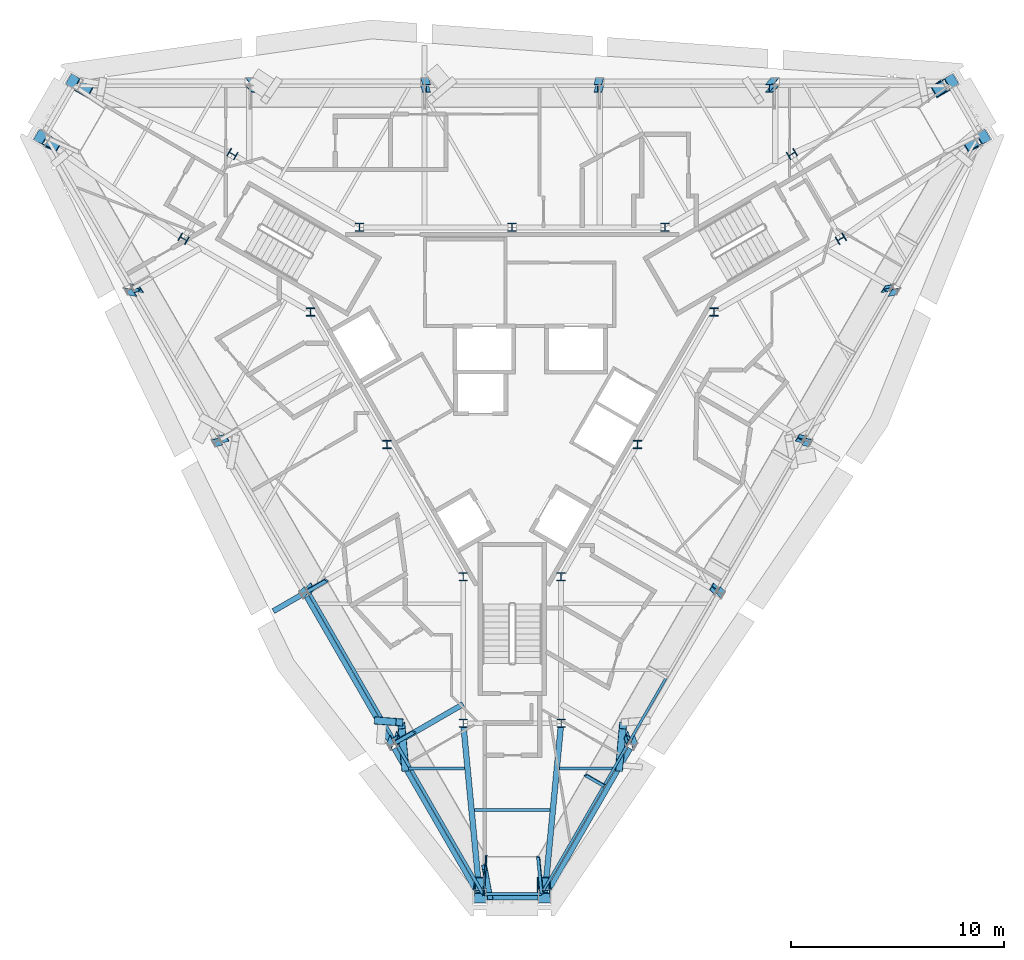
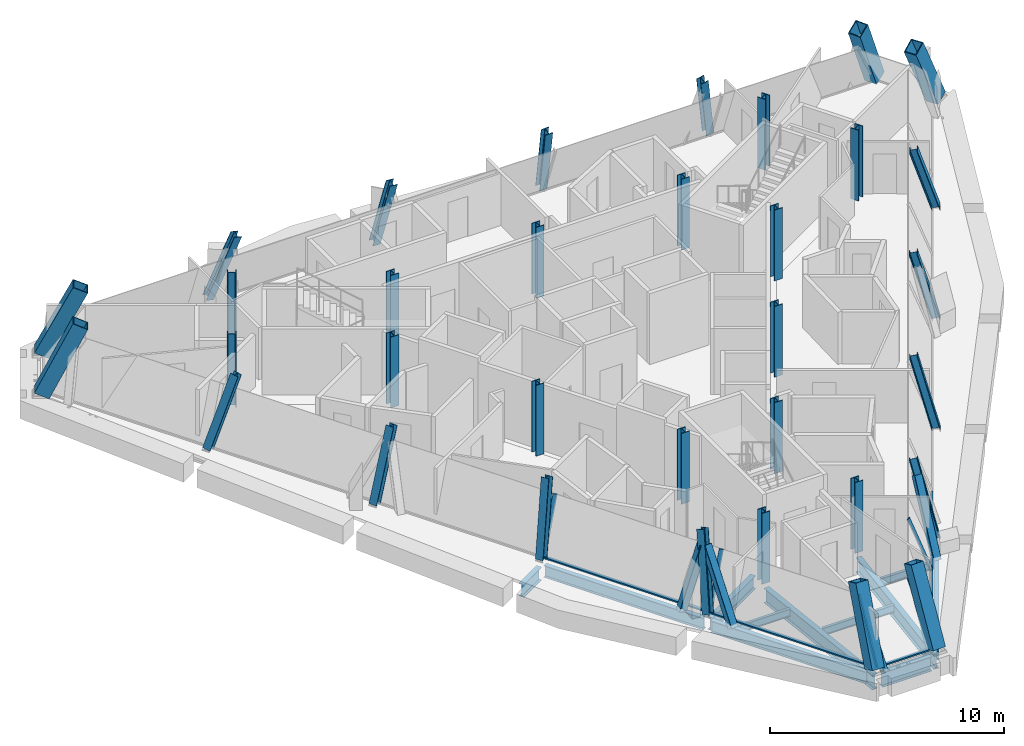
# One storey, part 1 of 13: 33 columns, 14 members, 11 beams, 3 elements without a shape of their own.
"""IFC4 building model written with IfcOpenShell, lengths in metres."""

from ifc_helpers import new_model, si_unit, direction, frame, origin, origin_2d, place, context, subcontext, project, spatial, rectangle, hollow_rectangle, i_section, extrude, material, material_profile, profile_set, type_object, element, aggregate, save


model = new_model("IFC4")

# Units and contexts
model_context = context("Model", 3, precision=1e-05, world=origin(), true_north=direction((0.0, 1.0)))
body_context = subcontext(model_context, "Body", "Model", "MODEL_VIEW")
ifc_project = project(units=[si_unit("LENGTHUNIT", "METRE"), si_unit("AREAUNIT", "SQUARE_METRE"), si_unit("VOLUMEUNIT", "CUBIC_METRE"), si_unit("PLANEANGLEUNIT", "RADIAN"), si_unit("MASSUNIT", "GRAM", prefix="KILO")], contexts=[model_context])

# Site, building, storey
site_placement = place(None, origin())
site = spatial("IfcSite", under=ifc_project, at=site_placement, CompositionType="ELEMENT")
building_placement = place(site_placement, origin())
building = spatial("IfcBuilding", under=site, at=building_placement, Name="Verrane Prism Tower", CompositionType="ELEMENT")
storey_placement = place(building_placement, frame((0.0, 0.0, 304.699951171875)))
storey = spatial("IfcBuildingStorey", under=building, at=storey_placement, Name="L77", CompositionType="ELEMENT", Elevation=304.699951171875)

# Columns
ifc_material_1 = material(Name="Steel A992", Category="steel")
ifc_material_profile_1 = material_profile(ifc_material_1, i_section(OverallWidth=0.4013671875, OverallDepth=0.398681640625, WebThickness=0.02490234375, FlangeThickness=0.03955078125, FilletRadius=0.01513671875, at=origin_2d()), Name="W14x211")
ifc_profile_set_1 = profile_set([ifc_material_profile_1], Name="Steel A992")
column_type_1 = type_object("IfcColumnType", Name="Core corner column W14x211", PredefinedType="COLUMN", material=ifc_profile_set_1)
for number, where, z_axis, x_axis, name in (
    (1, (15.43994140625, 6.260009765625, 0.0), (0.0, 0.0, 1.0), (0.5, -0.866025403784, 0.0), "Core corner column CK-NEm L77"),
    (2, (13.139892578125, 10.239990234375, 0.0), (0.0, 0.0, 1.0), (0.5, -0.866025403784, 0.0), "Core corner column CK-NEp L77"),
    (3, (-13.139892578125, 10.239990234375, 0.0), (0.0, 0.0, 1.0), (0.5, 0.866025403784, 0.0), "Core corner column CK-NWm L77"),
    (4, (-15.43994140625, 6.260009765625, 0.0), (0.0, 0.0, 1.0), (0.5, 0.866025403784, 0.0), "Core corner column CK-NWp L77"),
    (5, (-2.300048828125, -16.5, 0.0), (0.0, 0.0, 1.0), (-1.0, 0.0, 0.0), "Core corner column CK-Sm L77"),
    (6, (2.300048828125, -16.5, 0.0), (0.0, 0.0, 1.0), (-1.0, 0.0, 0.0), "Core corner column CK-Sp L77"),
):
    element("IfcColumn", number, at=place(storey_placement, frame(where, z_axis=z_axis, x_axis=x_axis)), inside=storey, type_object=column_type_1, Name=name, PredefinedType="COLUMN", context=body_context, shape_type="SweptSolid", body=[
        extrude(i_section(OverallWidth=0.4013671875, OverallDepth=0.398681640625, WebThickness=0.02490234375, FlangeThickness=0.03955078125, FilletRadius=0.01513671875, at=origin_2d()), origin(), (0.0, 0.0, 1.0), 3.699951171875),
    ])
ifc_material_2 = material(Name="Steel A992", Category="steel")
ifc_material_profile_2 = material_profile(ifc_material_2, i_section(OverallWidth=0.398681640625, OverallDepth=0.385986328125, WebThickness=0.02099609375, FlangeThickness=0.033203125, FilletRadius=0.01513671875, at=origin_2d()), Name="W14x176")
ifc_profile_set_2 = profile_set([ifc_material_profile_2], Name="Steel A992")
column_type_2 = type_object("IfcColumnType", Name="Core side column W14x176", PredefinedType="COLUMN", material=ifc_profile_set_2)
for number, where, z_axis, x_axis, name in (
    (7, (9.47998046875, 2.820068359375, 0.0), (0.0, 0.0, 1.0), (1.0, 0.0, 0.0), "Core side column CC-NEm L77"),
    (8, (7.179931640625, 6.800048828125, 0.0), (0.0, 0.0, 1.0), (1.0, 0.0, 0.0), "Core side column CC-NEp L77"),
    (9, (0.0, 6.800048828125, 0.0), (0.0, 0.0, 1.0), (1.0, 0.0, 0.0), "Core side column CC-N0 L77"),
    (10, (-7.179931640625, 6.800048828125, 0.0), (0.0, 0.0, 1.0), (1.0, 0.0, 0.0), "Core side column CC-NWm L77"),
    (11, (-9.47998046875, 2.820068359375, 0.0), (0.0, 0.0, 1.0), (1.0, 0.0, 0.0), "Core side column CC-NWp L77"),
    (12, (-5.889892578125, -3.39990234375, 0.0), (0.0, 0.0, 1.0), (1.0, 0.0, 0.0), "Core side column CC-SW0 L77"),
    (13, (-2.300048828125, -9.6201171875, 0.0), (0.0, 0.0, 1.0), (1.0, 0.0, 0.0), "Core side column CC-Sm L77"),
    (14, (2.300048828125, -9.6201171875, 0.0), (0.0, 0.0, 1.0), (1.0, 0.0, 0.0), "Core side column CC-Sp L77"),
    (15, (5.889892578125, -3.39990234375, 0.0), (0.0, 0.0, 1.0), (1.0, 0.0, 0.0), "Core side column CC-SE0 L77"),
):
    element("IfcColumn", number, at=place(storey_placement, frame(where, z_axis=z_axis, x_axis=x_axis)), inside=storey, type_object=column_type_2, Name=name, PredefinedType="COLUMN", context=body_context, shape_type="SweptSolid", body=[
        extrude(i_section(OverallWidth=0.398681640625, OverallDepth=0.385986328125, WebThickness=0.02099609375, FlangeThickness=0.033203125, FilletRadius=0.01513671875, at=origin_2d()), origin(), (0.0, 0.0, 1.0), 3.699951171875),
    ])
ifc_material_3 = material(Name="Steel A572 Grade 50", Category="steel")
ifc_material_profile_3 = material_profile(ifc_material_3, hollow_rectangle(XDim=0.60009765625, YDim=0.699951171875, WallThickness=0.0400390625, at=origin_2d()), Name="BOX 700x600x40")
ifc_profile_set_3 = profile_set([ifc_material_profile_3], Name="Steel A572 Grade 50")
column_type_3 = type_object("IfcColumnType", Name="Megacolumn BOX 700x600x40", PredefinedType="COLUMN", material=ifc_profile_set_3)
for number, where, z_axis, x_axis, name in (
    (16, (20.565185546875, 13.625732421875, 0.090087890625), (-0.349540963312, -0.244465386581, 0.904465471829), (0.499636006059, -0.86527489038, -0.040782662093), "Megacolumn MC-NE.b L77"),
    (17, (-20.565185546875, 13.625732421875, 0.090087890625), (0.349540963312, -0.244465386581, 0.904465471829), (0.499636006059, 0.86527489038, 0.040782662093), "Megacolumn MC-NW.a L77"),
):
    element("IfcColumn", number, at=place(storey_placement, frame(where, z_axis=z_axis, x_axis=x_axis)), inside=storey, type_object=column_type_3, Name=name, PredefinedType="COLUMN", context=body_context, shape_type="SweptSolid", body=[
        extrude(hollow_rectangle(XDim=0.60009765625, YDim=0.699951171875, WallThickness=0.0400390625, at=origin_2d()), origin(), (0.0, 0.0, 1.0), 3.891845703125),
    ])
column_1_placement = place(storey_placement, frame((-22.08154296875, 11.001953125, 0.090087890625), z_axis=(0.386249226446, -0.1808602436, 0.904489418045), x_axis=(0.499519388937, 0.865365975723, -0.040275403639)))
element("IfcColumn", 18, at=column_1_placement, inside=storey, type_object=column_type_3, Name="Megacolumn MC-NW.b L77", PredefinedType="COLUMN", context=body_context, shape_type="SweptSolid", body=[
    extrude(hollow_rectangle(XDim=0.60009765625, YDim=0.699951171875, WallThickness=0.0400390625, at=origin_2d()), origin(), (0.0, 0.0, 1.0), 3.8916015625),
])
for number, where, z_axis, x_axis, name in (
    (19, (-1.516357421875, -24.627685546875, 0.090087890625), (0.0366924906, 0.425256557728, 0.904328768337), (-0.9991793096, 7.5297509e-05, 0.040505574907), "Megacolumn MC-S.a L77"),
    (20, (1.516357421875, -24.627685546875, 0.090087890625), (-0.0366924906, 0.425256557728, 0.904328768337), (-0.9991793096, -7.5297509e-05, -0.040505574907), "Megacolumn MC-S.b L77"),
):
    element("IfcColumn", number, at=place(storey_placement, frame(where, z_axis=z_axis, x_axis=x_axis)), inside=storey, type_object=column_type_3, Name=name, PredefinedType="COLUMN", context=body_context, shape_type="SweptSolid", body=[
        extrude(hollow_rectangle(XDim=0.60009765625, YDim=0.699951171875, WallThickness=0.0400390625, at=origin_2d()), origin(), (0.0, 0.0, 1.0), 3.892333984375),
    ])
column_2_placement = place(storey_placement, frame((22.08154296875, 11.001953125, 0.090087890625), z_axis=(-0.386249226446, -0.1808602436, 0.904489418045), x_axis=(0.499519388937, -0.865365975723, 0.040275403639)))
element("IfcColumn", 21, at=column_2_placement, inside=storey, type_object=column_type_3, Name="Megacolumn MC-NE.a L77", PredefinedType="COLUMN", context=body_context, shape_type="SweptSolid", body=[
    extrude(hollow_rectangle(XDim=0.60009765625, YDim=0.699951171875, WallThickness=0.0400390625, at=origin_2d()), origin(), (0.0, 0.0, 1.0), 3.8916015625),
])
ifc_material_4 = material(Name="Steel A992", Category="steel")
ifc_material_profile_4 = material_profile(ifc_material_4, i_section(OverallWidth=0.373291015625, OverallDepth=0.368408203125, WebThickness=0.014892578125, FlangeThickness=0.02392578125, FilletRadius=0.01513671875, at=origin_2d()), Name="W14x120")
ifc_profile_set_4 = profile_set([ifc_material_profile_4], Name="Steel A992")
column_type_4 = type_object("IfcColumnType", Name="Perimeter column W14x120", PredefinedType="COLUMN", material=ifc_profile_set_4)
column_3_placement = place(storey_placement, frame((12.34716796875, 13.635009765625, 0.054931640625), z_axis=(-0.218944088069, -0.254559334695, 0.94194640581), x_axis=(0.974036747124, -4.8635043e-05, 0.226389957566)))
element("IfcColumn", 22, at=column_3_placement, inside=storey, type_object=column_type_4, Name="Perimeter column PC-N1 L77", PredefinedType="COLUMN", context=body_context, shape_type="SweptSolid", body=[
    extrude(i_section(OverallWidth=0.373291015625, OverallDepth=0.368408203125, WebThickness=0.014892578125, FlangeThickness=0.02392578125, FilletRadius=0.01513671875, at=origin_2d()), origin(), (0.0, 0.0, 1.0), 3.811279296875),
])
for number, where, z_axis, x_axis, name in (
    (23, (4.116455078125, 13.6376953125, 0.045166015625), (-0.075454530978, -0.260152118886, 0.962614922383), (0.996942757007, -3.6761517e-05, 0.078135381871), "Perimeter column PC-N2 L77"),
    (24, (-4.116455078125, 13.6376953125, 0.045166015625), (0.075454530978, -0.260152118886, 0.962614922383), (0.996942757007, 3.6761517e-05, -0.078135381871), "Perimeter column PC-N3 L77"),
):
    element("IfcColumn", number, at=place(storey_placement, frame(where, z_axis=z_axis, x_axis=x_axis)), inside=storey, type_object=column_type_4, Name=name, PredefinedType="COLUMN", context=body_context, shape_type="SweptSolid", body=[
        extrude(i_section(OverallWidth=0.373291015625, OverallDepth=0.368408203125, WebThickness=0.014892578125, FlangeThickness=0.02392578125, FilletRadius=0.01513671875, at=origin_2d()), origin(), (0.0, 0.0, 1.0), 3.75),
    ])
column_4_placement = place(storey_placement, frame((-12.34716796875, 13.635009765625, 0.054931640625), z_axis=(0.218944088069, -0.254559334695, 0.94194640581), x_axis=(0.974036747124, 4.8635043e-05, -0.226389957566)))
element("IfcColumn", 25, at=column_4_placement, inside=storey, type_object=column_type_4, Name="Perimeter column PC-N4 L77", PredefinedType="COLUMN", context=body_context, shape_type="SweptSolid", body=[
    extrude(i_section(OverallWidth=0.373291015625, OverallDepth=0.368408203125, WebThickness=0.014892578125, FlangeThickness=0.02392578125, FilletRadius=0.01513671875, at=origin_2d()), origin(), (0.0, 0.0, 1.0), 3.811279296875),
])
column_5_placement = place(storey_placement, frame((-17.980712890625, 3.87646484375, 0.054931640625), z_axis=(0.328547208417, -0.061145929932, 0.942506184115), x_axis=(-0.48718313333, 0.843929861769, 0.224577343052)))
element("IfcColumn", 26, at=column_5_placement, inside=storey, type_object=column_type_4, Name="Perimeter column PC-SW1 L77", PredefinedType="COLUMN", context=body_context, shape_type="SweptSolid", body=[
    extrude(i_section(OverallWidth=0.373291015625, OverallDepth=0.368408203125, WebThickness=0.014892578125, FlangeThickness=0.02392578125, FilletRadius=0.01513671875, at=origin_2d()), origin(), (0.0, 0.0, 1.0), 3.80908203125),
])
column_6_placement = place(storey_placement, frame((-13.86767578125, -3.2568359375, 0.045166015625), z_axis=(0.262724220884, 0.067633911174, 0.96249760406), x_axis=(-0.498583237787, 0.86355528035, 0.075412417924)))
element("IfcColumn", 27, at=column_6_placement, inside=storey, type_object=column_type_4, Name="Perimeter column PC-SW2 L77", PredefinedType="COLUMN", context=body_context, shape_type="SweptSolid", body=[
    extrude(i_section(OverallWidth=0.373291015625, OverallDepth=0.368408203125, WebThickness=0.014892578125, FlangeThickness=0.02392578125, FilletRadius=0.01513671875, at=origin_2d()), origin(), (0.0, 0.0, 1.0), 3.75048828125),
])
column_7_placement = place(storey_placement, frame((-9.751220703125, -10.381103515625, 0.045166015625), z_axis=(0.187414704281, 0.192691239229, 0.963195626518), x_axis=(-0.498724706912, 0.863448717299, -0.075696626808)))
element("IfcColumn", 28, at=column_7_placement, inside=storey, type_object=column_type_4, Name="Perimeter column PC-SW3 L77", PredefinedType="COLUMN", context=body_context, shape_type="SweptSolid", body=[
    extrude(i_section(OverallWidth=0.373291015625, OverallDepth=0.368408203125, WebThickness=0.014892578125, FlangeThickness=0.02392578125, FilletRadius=0.01513671875, at=origin_2d()), origin(), (0.0, 0.0, 1.0), 3.747802734375),
])
for number, where, z_axis, x_axis, name in (
    (29, (-5.633544921875, -17.51171875, 0.054931640625), (0.112062196474, 0.31581164461, 0.942181017242), (-0.487199113903, 0.843834781896, -0.224899720486), "Perimeter column PC-SW4 L77"),
    (30, (5.633544921875, -17.51171875, 0.054931640625), (-0.112062196474, 0.31581164461, 0.942181017242), (-0.487199113903, -0.843834781896, 0.224899720486), "Perimeter column PC-SE1 L77"),
):
    element("IfcColumn", number, at=place(storey_placement, frame(where, z_axis=z_axis, x_axis=x_axis)), inside=storey, type_object=column_type_4, Name=name, PredefinedType="COLUMN", context=body_context, shape_type="SweptSolid", body=[
        extrude(i_section(OverallWidth=0.373291015625, OverallDepth=0.368408203125, WebThickness=0.014892578125, FlangeThickness=0.02392578125, FilletRadius=0.01513671875, at=origin_2d()), origin(), (0.0, 0.0, 1.0), 3.810302734375),
    ])
column_8_placement = place(storey_placement, frame((9.751220703125, -10.381103515625, 0.045166015625), z_axis=(-0.187414704281, 0.192691239229, 0.963195626518), x_axis=(-0.498724706912, -0.863448717299, 0.075696626808)))
element("IfcColumn", 31, at=column_8_placement, inside=storey, type_object=column_type_4, Name="Perimeter column PC-SE2 L77", PredefinedType="COLUMN", context=body_context, shape_type="SweptSolid", body=[
    extrude(i_section(OverallWidth=0.373291015625, OverallDepth=0.368408203125, WebThickness=0.014892578125, FlangeThickness=0.02392578125, FilletRadius=0.01513671875, at=origin_2d()), origin(), (0.0, 0.0, 1.0), 3.747802734375),
])
column_9_placement = place(storey_placement, frame((13.86767578125, -3.2568359375, 0.045166015625), z_axis=(-0.262724220884, 0.067633911174, 0.96249760406), x_axis=(-0.498583237787, -0.86355528035, -0.075412417924)))
element("IfcColumn", 32, at=column_9_placement, inside=storey, type_object=column_type_4, Name="Perimeter column PC-SE3 L77", PredefinedType="COLUMN", context=body_context, shape_type="SweptSolid", body=[
    extrude(i_section(OverallWidth=0.373291015625, OverallDepth=0.368408203125, WebThickness=0.014892578125, FlangeThickness=0.02392578125, FilletRadius=0.01513671875, at=origin_2d()), origin(), (0.0, 0.0, 1.0), 3.75048828125),
])
column_10_placement = place(storey_placement, frame((17.980712890625, 3.87646484375, 0.054931640625), z_axis=(-0.328547208417, -0.061145929932, 0.942506184115), x_axis=(-0.48718313333, -0.843929861769, -0.224577343052)))
element("IfcColumn", 33, at=column_10_placement, inside=storey, type_object=column_type_4, Name="Perimeter column PC-SE4 L77", PredefinedType="COLUMN", context=body_context, shape_type="SweptSolid", body=[
    extrude(i_section(OverallWidth=0.373291015625, OverallDepth=0.368408203125, WebThickness=0.014892578125, FlangeThickness=0.02392578125, FilletRadius=0.01513671875, at=origin_2d()), origin(), (0.0, 0.0, 1.0), 3.80908203125),
])

# Member
ifc_material_5 = material(Name="Steel A500 Grade C", Category="steel")
ifc_material_profile_5 = material_profile(ifc_material_5, hollow_rectangle(XDim=0.25390625, YDim=0.25390625, WallThickness=0.009521484375, InnerFilletRadius=0.0048828125, OuterFilletRadius=0.014404296875, at=origin_2d()), Name="HSS10x10x3/8")
ifc_profile_set_5 = profile_set([ifc_material_profile_5], Name="Steel A500 Grade C")
member_type_1 = type_object("IfcMemberType", Name="Chamfer brace HSS10x10x3/8", PredefinedType="BRACE", material=ifc_profile_set_5)
member_1_placement = place(storey_placement, frame((-1.04150390625, -24.669921875, -0.242431640625), z_axis=(-0.084527874135, 0.456733327341, 0.885578740819), x_axis=(-0.98330218647, -0.181980246412, 0.0)))
element("IfcMember", 34, at=member_1_placement, inside=storey, type_object=member_type_1, Name="Chamfer brace S0 L77", PredefinedType="BRACE", context=body_context, shape_type="SweptSolid", body=[
    extrude(hollow_rectangle(XDim=0.25390625, YDim=0.25390625, WallThickness=0.009521484375, InnerFilletRadius=0.0048828125, OuterFilletRadius=0.014404296875, at=origin_2d()), origin(), (0.0, 0.0, 1.0), 3.10791015625),
])

# Beams
ifc_material_6 = material(Name="Steel A992", Category="steel")
ifc_material_profile_6 = material_profile(ifc_material_6, i_section(OverallWidth=0.2666015625, OverallDepth=0.7568359375, WebThickness=0.013916015625, FlangeThickness=0.019287109375, FilletRadius=0.0166015625, at=origin_2d()), Name="W30x108")
ifc_profile_set_6 = profile_set([ifc_material_profile_6], Name="Steel A992")
beam_type_1 = type_object("IfcBeamType", Name="Chamfer spandrel beam W30x108", PredefinedType="SPANDREL", material=ifc_profile_set_6)
beam_1_placement = place(storey_placement, frame((-1.219970703125, -24.669921875, -0.538330078125), z_axis=(1.0, 0.0, 0.0), x_axis=(0.0, 1.0, 0.0)))
element("IfcBeam", 35, at=beam_1_placement, inside=storey, type_object=beam_type_1, Name="Chamfer spandrel beam L77", PredefinedType="SPANDREL", context=body_context, shape_type="SweptSolid", body=[
    extrude(i_section(OverallWidth=0.2666015625, OverallDepth=0.7568359375, WebThickness=0.013916015625, FlangeThickness=0.019287109375, FilletRadius=0.0166015625, at=origin_2d()), origin(), (0.0, 0.0, 1.0), 2.43994140625),
])
ifc_material_7 = material(Name="Steel A992", Category="steel")
ifc_material_profile_7 = material_profile(ifc_material_7, i_section(OverallWidth=0.2666015625, OverallDepth=0.7568359375, WebThickness=0.013916015625, FlangeThickness=0.019287109375, FilletRadius=0.0166015625, at=origin_2d()), Name="W30x108")
ifc_profile_set_7 = profile_set([ifc_material_profile_7], Name="Steel A992")
beam_type_2 = type_object("IfcBeamType", Name="Corner girder W30x108", PredefinedType="BEAM", material=ifc_profile_set_7)
beam_2_placement = place(storey_placement, frame((-1.520263671875, -24.66748046875, -0.598388671875), z_axis=(-0.095042271293, 0.995473237545, 0.0), x_axis=(-0.995473237545, -0.095042271293, 0.0)))
element("IfcBeam", 36, at=beam_2_placement, inside=storey, type_object=beam_type_2, Name="Corner girder L77", PredefinedType="BEAM", context=body_context, shape_type="SweptSolid", body=[
    extrude(i_section(OverallWidth=0.2666015625, OverallDepth=0.7568359375, WebThickness=0.013916015625, FlangeThickness=0.019287109375, FilletRadius=0.0166015625, at=origin_2d()), origin(), (0.0, 0.0, 1.0), 8.004150390625),
])
beam_3_placement = place(storey_placement, frame((1.520263671875, -24.6669921875, -0.598388671875), z_axis=(0.095048043236, 0.995472686455, 0.0), x_axis=(-0.995472686455, 0.095048043236, 0.0)))
element("IfcBeam", 37, at=beam_3_placement, inside=storey, type_object=beam_type_2, Name="Corner girder L77", PredefinedType="BEAM", context=body_context, shape_type="SweptSolid", body=[
    extrude(i_section(OverallWidth=0.2666015625, OverallDepth=0.7568359375, WebThickness=0.013916015625, FlangeThickness=0.019287109375, FilletRadius=0.0166015625, at=origin_2d()), origin(), (0.0, 0.0, 1.0), 8.003662109375),
])

# Members
ifc_material_8 = material(Name="Steel A500 Grade C", Category="steel")
ifc_material_profile_8 = material_profile(ifc_material_8, hollow_rectangle(XDim=0.355712890625, YDim=0.355712890625, WallThickness=0.0126953125, InnerFilletRadius=0.00634765625, OuterFilletRadius=0.01904296875, at=origin_2d()), Name="HSS14x14x1/2")
ifc_profile_set_8 = profile_set([ifc_material_profile_8], Name="Steel A500 Grade C")
member_type_2 = type_object("IfcMemberType", Name="Facade brace HSS14x14x1/2", PredefinedType="BRACE", material=ifc_profile_set_8)
member_2_placement = place(storey_placement, frame((-6.30419921875, -16.37890625, -0.216552734375), z_axis=(0.301518522135, -0.022204852405, 0.953201723319), x_axis=(0.073444522401, 0.997299304186, 0.0)))
element("IfcMember", 38, at=member_2_placement, inside=storey, type_object=member_type_2, Name="Facade brace SW3 L77", PredefinedType="BRACE", context=body_context, shape_type="SweptSolid", body=[
    extrude(hollow_rectangle(XDim=0.355712890625, YDim=0.355712890625, WallThickness=0.0126953125, InnerFilletRadius=0.00634765625, OuterFilletRadius=0.01904296875, at=origin_2d()), origin(), (0.0, 0.0, 1.0), 3.342529296875),
])
for number, where, z_axis, x_axis, name in (
    (39, (-5.0244140625, -18.59716796875, -0.216552734375), (-0.047190617446, 0.525375927564, 0.849560580748), (-0.995990200053, -0.089462402149, 0.0), "Facade brace SW4 L77"),
    (40, (5.0244140625, -18.59716796875, -0.216552734375), (0.047190617446, 0.525375927564, 0.849560580748), (-0.995990200053, 0.089462402149, 0.0), "Facade brace SE0 L77"),
):
    element("IfcMember", number, at=place(storey_placement, frame(where, z_axis=z_axis, x_axis=x_axis)), inside=storey, type_object=member_type_2, Name=name, PredefinedType="BRACE", context=body_context, shape_type="SweptSolid", body=[
        extrude(hollow_rectangle(XDim=0.355712890625, YDim=0.355712890625, WallThickness=0.0126953125, InnerFilletRadius=0.00634765625, OuterFilletRadius=0.01904296875, at=origin_2d()), origin(), (0.0, 0.0, 1.0), 3.771484375),
    ])

# Beams
ifc_material_9 = material(Name="Steel A992", Category="steel")
ifc_material_profile_9 = material_profile(ifc_material_9, i_section(OverallWidth=0.140380859375, OverallDepth=0.40380859375, WebThickness=0.007080078125, FlangeThickness=0.01123046875, FilletRadius=0.01025390625, at=origin_2d()), Name="W16x31")
ifc_profile_set_9 = profile_set([ifc_material_profile_9], Name="Steel A992")
beam_type_3 = type_object("IfcBeamType", Name="Floor beam W16x31", PredefinedType="BEAM", material=ifc_profile_set_9)
for number, where, z_axis, x_axis, name in (
    (41, (-4.876220703125, -18.623291015625, -0.36181640625), (1.0, 0.0, 0.0), (0.0, 1.0, 0.0), "Floor beam L77"),
    (42, (2.2314453125, -18.623291015625, -0.36181640625), (1.0, 0.0, 0.0), (0.0, 1.0, 0.0), "Floor beam L77"),
):
    element("IfcBeam", number, at=place(storey_placement, frame(where, z_axis=z_axis, x_axis=x_axis)), inside=storey, type_object=beam_type_3, Name=name, PredefinedType="BEAM", context=body_context, shape_type="SweptSolid", body=[
        extrude(i_section(OverallWidth=0.140380859375, OverallDepth=0.40380859375, WebThickness=0.007080078125, FlangeThickness=0.01123046875, FilletRadius=0.01025390625, at=origin_2d()), origin(), (0.0, 0.0, 1.0), 2.644775390625),
    ])
beam_4_placement = place(storey_placement, frame((-1.77587890625, -20.5849609375, -0.36181640625), z_axis=(1.0, 0.0, 0.0), x_axis=(0.0, 1.0, 0.0)))
element("IfcBeam", 43, at=beam_4_placement, inside=storey, type_object=beam_type_3, Name="Floor beam L77", PredefinedType="BEAM", context=body_context, shape_type="SweptSolid", body=[
    extrude(i_section(OverallWidth=0.140380859375, OverallDepth=0.40380859375, WebThickness=0.007080078125, FlangeThickness=0.01123046875, FilletRadius=0.01025390625, at=origin_2d()), origin(), (0.0, 0.0, 1.0), 3.5517578125),
])

# Curtain wall, members
ifc_material_10 = material(Name="Aluminium framed insulated glazing", Category="aluminium")
curtain_wall_type_1 = type_object("IfcCurtainWallType", Name="Curtain wall CW-B 5600 module", PredefinedType="NOTDEFINED", material=ifc_material_10)
curtain_wall_1_placement = place(storey_placement, origin())
curtain_wall_1 = element("IfcCurtainWall", 44, at=curtain_wall_1_placement, inside=storey, type_object=curtain_wall_type_1, Name="Glazed curtain wall south-east face L77", PredefinedType="NOTDEFINED")
ifc_material_11 = material(Name="Aluminium alloy 6063-T6", Category="aluminium")
ifc_material_profile_10 = material_profile(ifc_material_11, rectangle(XDim=0.159912109375, YDim=0.06005859375, at=origin_2d()), Name="Mullion 60x160 aluminium")
ifc_profile_set_10 = profile_set([ifc_material_profile_10], Name="Aluminium alloy 6063-T6")
member_type_3 = type_object("IfcMemberType", Name="Mullion 60x160 aluminium", PredefinedType="MULLION", material=ifc_profile_set_10)
member_3_placement = place(storey_placement, frame((1.3876953125, -24.490966796875, 0.0), z_axis=(-0.051223421215, 0.532011302296, 0.84518645005), x_axis=(0.902539533148, -0.337649458382, 0.267236289377)))
member_3 = element("IfcMember", 45, at=member_3_placement, type_object=member_type_3, Name="CW75.6 mullion 1", PredefinedType="MULLION", context=body_context, shape_type="SweptSolid", body=[
    extrude(rectangle(XDim=0.159912109375, YDim=0.06005859375, at=origin_2d()), origin(), (0.0, 0.0, 1.0), 3.221923828125),
])
member_4_placement = place(storey_placement, frame((4.307861328125, -19.43310546875, 0.0), z_axis=(-0.298589816525, 0.17235398654, 0.938689631769), x_axis=(0.83942992662, 0.515404542954, 0.172382004274)))
member_4 = element("IfcMember", 46, at=member_4_placement, type_object=member_type_3, Name="CW75.6 mullion 2", PredefinedType="MULLION", context=body_context, shape_type="SweptSolid", body=[
    extrude(rectangle(XDim=0.159912109375, YDim=0.06005859375, at=origin_2d()), origin(), (0.0, 0.0, 1.0), 2.901123046875),
])

ifc_material_12 = material(Name="Aluminium framed insulated glazing", Category="aluminium")
curtain_wall_type_2 = type_object("IfcCurtainWallType", Name="Curtain wall CW-A 8400 module", PredefinedType="NOTDEFINED", material=ifc_material_12)
curtain_wall_2_placement = place(storey_placement, origin())
curtain_wall_2 = element("IfcCurtainWall", 47, at=curtain_wall_2_placement, inside=storey, type_object=curtain_wall_type_2, Name="Glazed curtain wall south-west face L77", PredefinedType="NOTDEFINED")
ifc_material_13 = material(Name="Aluminium alloy 6063-T6", Category="aluminium")
ifc_material_profile_11 = material_profile(ifc_material_13, rectangle(XDim=0.199951171875, YDim=0.070068359375, at=origin_2d()), Name="Mullion 70x200 aluminium")
ifc_profile_set_11 = profile_set([ifc_material_profile_11], Name="Aluminium alloy 6063-T6")
member_type_4 = type_object("IfcMemberType", Name="Mullion 70x200 aluminium", PredefinedType="MULLION", material=ifc_profile_set_11)
member_5_placement = place(storey_placement, frame((-9.591064453125, -10.2822265625, 0.0), z_axis=(0.298513159527, 0.172358317088, 0.938713217186), x_axis=(-0.839503041677, 0.515296184239, 0.17234989273)))
member_5 = element("IfcMember", 48, at=member_5_placement, type_object=member_type_4, Name="CW75.4 mullion 4", PredefinedType="MULLION", context=body_context, shape_type="SweptSolid", body=[
    extrude(rectangle(XDim=0.199951171875, YDim=0.070068359375, at=origin_2d()), origin(), (0.0, 0.0, 1.0), 2.90087890625),
])
member_6_placement = place(storey_placement, frame((-5.48193359375, -17.399658203125, 0.0), z_axis=(0.298589816525, 0.17235398654, 0.938689631769), x_axis=(-0.83942992662, 0.515404542954, 0.172382004274)))
member_6 = element("IfcMember", 49, at=member_6_placement, type_object=member_type_4, Name="CW75.4 mullion 5", PredefinedType="MULLION", context=body_context, shape_type="SweptSolid", body=[
    extrude(rectangle(XDim=0.199951171875, YDim=0.070068359375, at=origin_2d()), origin(), (0.0, 0.0, 1.0), 2.901123046875),
])

# Curtain wall, member
curtain_wall_3_placement = place(storey_placement, origin())
curtain_wall_3 = element("IfcCurtainWall", 50, at=curtain_wall_3_placement, inside=storey, type_object=curtain_wall_type_2, Name="Glazed curtain wall south corner L77", PredefinedType="NOTDEFINED")
member_7_placement = place(storey_placement, frame((-1.337646484375, -24.51708984375, 0.0), z_axis=(0.035559381245, 0.538147069033, 0.842100506173), x_axis=(-0.055522766066, -0.840268103015, 0.539320625884)))
member_7 = element("IfcMember", 51, at=member_7_placement, type_object=member_type_4, Name="CW75.5 mullion 1", PredefinedType="MULLION", context=body_context, shape_type="SweptSolid", body=[
    extrude(rectangle(XDim=0.199951171875, YDim=0.070068359375, at=origin_2d()), origin(), (0.0, 0.0, 1.0), 3.233642578125),
])

# Beams
ifc_material_14 = material(Name="Steel A992", Category="steel")
ifc_material_profile_12 = material_profile(ifc_material_14, i_section(OverallWidth=0.25390625, OverallDepth=0.683349609375, WebThickness=0.012451171875, FlangeThickness=0.01904296875, FilletRadius=0.01513671875, at=origin_2d()), Name="W27x94")
ifc_profile_set_12 = profile_set([ifc_material_profile_12], Name="Steel A992")
beam_type_4 = type_object("IfcBeamType", Name="Radial girder W27x94", PredefinedType="BEAM", material=ifc_profile_set_12)
beam_5_placement = place(storey_placement, frame((-5.48046875, -17.43798828125, -0.5615234375), z_axis=(0.866029490193, 0.499992922065, 0.0), x_axis=(-0.499992922065, 0.866029490193, 0.0)))
element("IfcBeam", 52, at=beam_5_placement, inside=storey, type_object=beam_type_4, Name="Radial girder L77", PredefinedType="BEAM", context=body_context, shape_type="SweptSolid", body=[
    extrude(i_section(OverallWidth=0.25390625, OverallDepth=0.683349609375, WebThickness=0.012451171875, FlangeThickness=0.01904296875, FilletRadius=0.01513671875, at=origin_2d()), origin(), (0.0, 0.0, 1.0), 3.67236328125),
])
beam_6_placement = place(storey_placement, frame((-9.916015625, -10.47998046875, -0.5615234375), z_axis=(-0.86598839376, -0.500064097764, 0.0), x_axis=(0.500064097764, -0.86598839376, 0.0)))
element("IfcBeam", 53, at=beam_6_placement, inside=storey, type_object=beam_type_4, Name="Cantilever girder L77", PredefinedType="BEAM", context=body_context, shape_type="SweptSolid", body=[
    extrude(i_section(OverallWidth=0.25390625, OverallDepth=0.683349609375, WebThickness=0.012451171875, FlangeThickness=0.01904296875, FilletRadius=0.01513671875, at=origin_2d()), origin(), (0.0, 0.0, 1.0), 1.505126953125),
])
ifc_material_15 = material(Name="Steel A992", Category="steel")
ifc_material_profile_13 = material_profile(ifc_material_15, i_section(OverallWidth=0.23046875, OverallDepth=0.6171875, WebThickness=0.01318359375, FlangeThickness=0.022216796875, FilletRadius=0.012939453125, at=origin_2d()), Name="W24x94")
ifc_profile_set_13 = profile_set([ifc_material_profile_13], Name="Steel A992")
beam_type_5 = type_object("IfcBeamType", Name="Spandrel beam W24x94", PredefinedType="SPANDREL", material=ifc_profile_set_13)
beam_7_placement = place(storey_placement, frame((-9.666748046875, -10.5517578125, -0.468505859375), z_axis=(0.499786009893, -0.866148915785, 0.0), x_axis=(0.866148915785, 0.499786009893, 0.0)))
element("IfcBeam", 54, at=beam_7_placement, inside=storey, type_object=beam_type_5, Name="Spandrel beam L77", PredefinedType="SPANDREL", context=body_context, shape_type="SweptSolid", body=[
    extrude(i_section(OverallWidth=0.23046875, OverallDepth=0.6171875, WebThickness=0.01318359375, FlangeThickness=0.022216796875, FilletRadius=0.012939453125, at=origin_2d()), origin(), (0.0, 0.0, 1.0), 7.8701171875),
])
for number, where, z_axis, x_axis, name in (
    (55, (-5.546630859375, -17.691650390625, -0.468505859375), (0.499783212018, -0.866150530211, 0.0), (0.866150530211, 0.499783212018, 0.0), "Spandrel beam L77"),
    (56, (1.721923828125, -24.320068359375, -0.468505859375), (0.499783212018, 0.866150530211, 0.0), (-0.866150530211, 0.499783212018, 0.0), "Spandrel beam L77"),
):
    element("IfcBeam", number, at=place(storey_placement, frame(where, z_axis=z_axis, x_axis=x_axis)), inside=storey, type_object=beam_type_5, Name=name, PredefinedType="SPANDREL", context=body_context, shape_type="SweptSolid", body=[
        extrude(i_section(OverallWidth=0.23046875, OverallDepth=0.6171875, WebThickness=0.01318359375, FlangeThickness=0.022216796875, FilletRadius=0.012939453125, at=origin_2d()), origin(), (0.0, 0.0, 1.0), 7.65283203125),
    ])

# Member
ifc_material_16 = material(Name="Aluminium alloy 6063-T6", Category="aluminium")
ifc_material_profile_14 = material_profile(ifc_material_16, rectangle(XDim=0.1201171875, YDim=0.06005859375, at=origin_2d()), Name="Transom 60x120 aluminium")
ifc_profile_set_14 = profile_set([ifc_material_profile_14], Name="Aluminium alloy 6063-T6")
member_type_5 = type_object("IfcMemberType", Name="Transom 60x120 aluminium", PredefinedType="USERDEFINED", material=ifc_profile_set_14)
member_8_placement = place(storey_placement, frame((1.402587890625, -24.465087890625, 0.030029296875), z_axis=(0.500000319328, 0.86602521942, 0.0), x_axis=(-0.86602521942, 0.500000319328, 0.0)))
member_8 = element("IfcMember", 57, at=member_8_placement, type_object=member_type_5, Name="CW75.6 transom 1", ObjectType="TRANSOM", PredefinedType="USERDEFINED", context=body_context, shape_type="SweptSolid", body=[
    extrude(rectangle(XDim=0.1201171875, YDim=0.06005859375, at=origin_2d()), origin(), (0.0, 0.0, 1.0), 5.7802734375),
])

member_9_placement = place(storey_placement, frame((4.32275390625, -19.4072265625, 0.030029296875), z_axis=(0.500007361489, 0.866021153585, 0.0), x_axis=(-0.866021153585, 0.500007361489, 0.0)))
member_9 = element("IfcMember", 58, at=member_9_placement, type_object=member_type_5, Name="CW75.6 transom 2", ObjectType="TRANSOM", PredefinedType="USERDEFINED", context=body_context, shape_type="SweptSolid", body=[
    extrude(rectangle(XDim=0.1201171875, YDim=0.06005859375, at=origin_2d()), origin(), (0.0, 0.0, 1.0), 5.810546875),
])

aggregate(curtain_wall_1, [member_3, member_4, member_8, member_9])

ifc_material_17 = material(Name="Aluminium alloy 6063-T6", Category="aluminium")
ifc_material_profile_15 = material_profile(ifc_material_17, rectangle(XDim=0.14990234375, YDim=0.070068359375, at=origin_2d()), Name="Transom 70x150 aluminium")
ifc_profile_set_15 = profile_set([ifc_material_profile_15], Name="Aluminium alloy 6063-T6")
member_type_6 = type_object("IfcMemberType", Name="Transom 70x150 aluminium", PredefinedType="USERDEFINED", material=ifc_profile_set_15)
member_10_placement = place(storey_placement, frame((-9.573486328125, -10.3125, 0.03515625), z_axis=(0.499993044538, -0.866029419485, 0.0), x_axis=(0.866029419485, 0.499993044538, 0.0)))
member_10 = element("IfcMember", 59, at=member_10_placement, type_object=member_type_6, Name="CW75.4 transom 4", ObjectType="TRANSOM", PredefinedType="USERDEFINED", context=body_context, shape_type="SweptSolid", body=[
    extrude(rectangle(XDim=0.14990234375, YDim=0.070068359375, at=origin_2d()), origin(), (0.0, 0.0, 1.0), 8.1484375),
])

member_11_placement = place(storey_placement, frame((-5.46435546875, -17.429931640625, 0.03515625), z_axis=(0.500002215902, -0.866024124429, 0.0), x_axis=(0.866024124429, 0.500002215902, 0.0)))
member_11 = element("IfcMember", 60, at=member_11_placement, type_object=member_type_6, Name="CW75.4 transom 5", ObjectType="TRANSOM", PredefinedType="USERDEFINED", context=body_context, shape_type="SweptSolid", body=[
    extrude(rectangle(XDim=0.14990234375, YDim=0.070068359375, at=origin_2d()), origin(), (0.0, 0.0, 1.0), 8.18359375),
])

aggregate(curtain_wall_2, [member_5, member_6, member_10, member_11])

member_12_placement = place(storey_placement, frame((-1.302490234375, -24.51708984375, 0.03515625), z_axis=(1.0, 0.0, 0.0), x_axis=(0.0, 1.0, 0.0)))
member_12 = element("IfcMember", 61, at=member_12_placement, type_object=member_type_6, Name="CW75.5 transom 1", ObjectType="TRANSOM", PredefinedType="USERDEFINED", context=body_context, shape_type="SweptSolid", body=[
    extrude(rectangle(XDim=0.14990234375, YDim=0.070068359375, at=origin_2d()), origin(), (0.0, 0.0, 1.0), 2.675048828125),
])

aggregate(curtain_wall_3, [member_7, member_12])

save(model, "model.ifc")
